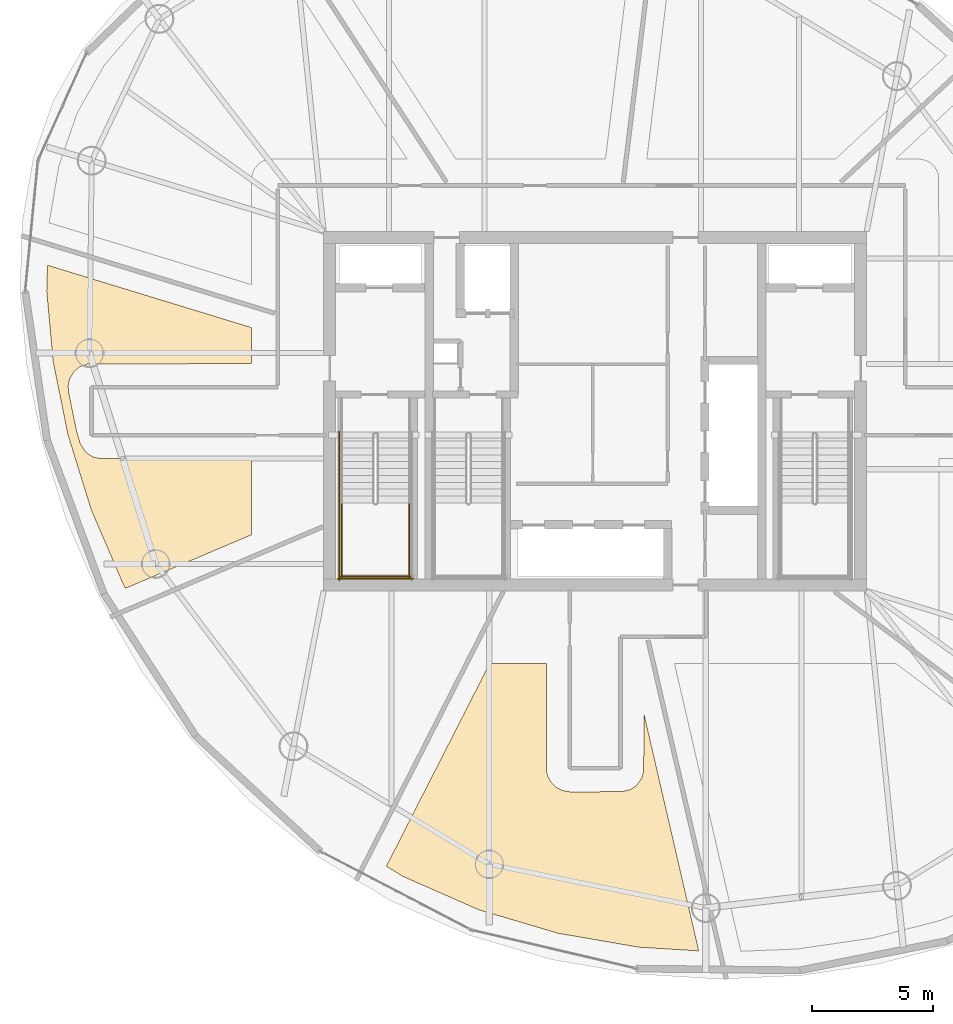
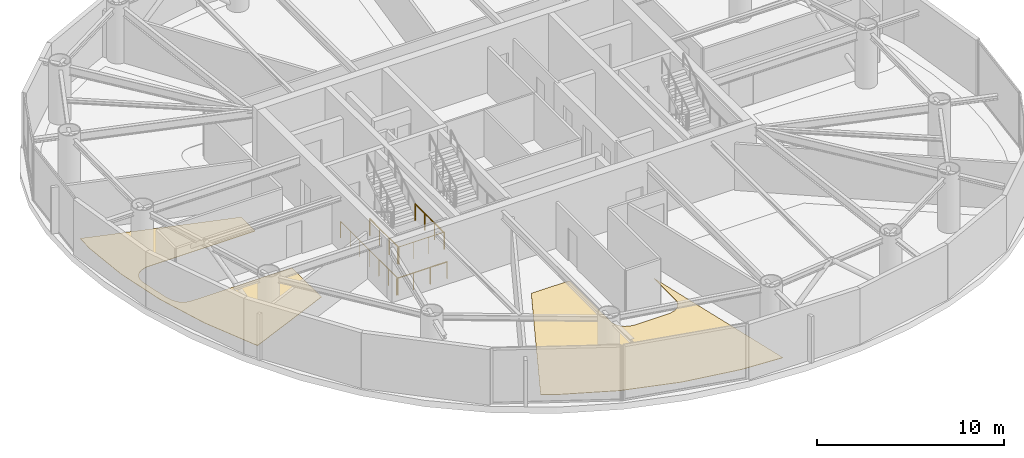
# One storey, part 21 of 25: 5 railings, 2 coverings.
"""IFC4 building model written with IfcOpenShell, lengths in metres."""

import ifcopenshell
import ifcopenshell.guid

model = None  # the IFC model being written
_history = None  # IfcOwnerHistory: only IFC2X3 demands one
_inside = {}  # id of a spatial element -> (the spatial element, [elements in it])
_under = {}  # id of a project, library or spatial element -> (it, [spatial elements below it])
_declared = {}  # id of a project -> (the project, [libraries it declares])
_typed = {}  # id of a type object -> (the type object, [elements of that type])
_made_of = {}  # id of a material, layer set ... -> (it, [elements and type objects made of it])


def new_model(schema):
    """Start an empty IFC model of exactly this schema.

    Asked for "IFC4X3", IfcOpenShell would pick the latest addendum, in which some entities
    have other attributes; the version numbers below select the first issue.
    IFC2X3 requires an IfcOwnerHistory on every rooted entity: one is made here for all.
    """
    global model, _history
    if schema == "IFC4X3":
        model = ifcopenshell.file(schema_version=(4, 3, 0, 0))
    else:
        model = ifcopenshell.file(schema=schema)
    _inside.clear()
    _under.clear()
    _declared.clear()
    _typed.clear()
    _made_of.clear()
    _history = None
    if model.schema == "IFC2X3":
        org = make("IfcOrganization", Name="unknown")
        user = make(
            "IfcPersonAndOrganization",
            ThePerson=make("IfcPerson", FamilyName="unknown"),
            TheOrganization=org,
        )
        app = make(
            "IfcApplication",
            ApplicationDeveloper=org,
            Version="unknown",
            ApplicationFullName="unknown",
            ApplicationIdentifier="unknown",
        )
        _history = make(
            "IfcOwnerHistory",
            OwningUser=user,
            OwningApplication=app,
            ChangeAction="ADDED",
            CreationDate=0,
        )
    return model


def make(cls, **values):
    """One entity of the class cls with the attributes given. An attribute that is None is left unset."""
    return model.create_entity(
        cls, **{name: value for name, value in values.items() if value is not None}
    )


def rooted(cls, **values):
    """An entity with a GlobalId (a new one), such as an element, a storey or a relation."""
    return make(cls, GlobalId=ifcopenshell.guid.new(), OwnerHistory=_history, **values)


def si_unit(unit_type, name, prefix=None):
    """IfcSIUnit, for example si_unit("LENGTHUNIT", "METRE", prefix="MILLI")."""
    return make("IfcSIUnit", UnitType=unit_type, Prefix=prefix, Name=name)


def assignment(units):
    """IfcUnitAssignment: the units of a project."""
    return None if units is None else make("IfcUnitAssignment", Units=units)


def point(xyz):
    """IfcCartesianPoint."""
    return None if xyz is None else make("IfcCartesianPoint", Coordinates=xyz)


def direction(xyz):
    """IfcDirection."""
    return None if xyz is None else make("IfcDirection", DirectionRatios=xyz)


def frame(location, z_axis=None, x_axis=None):
    """IfcAxis2Placement3D, a coordinate frame: its origin and axes. An axis left out is left unset."""
    return make(
        "IfcAxis2Placement3D",
        Location=point(location),
        Axis=direction(z_axis),
        RefDirection=direction(x_axis),
    )


def frame_2d(location, x_axis=None):
    """IfcAxis2Placement2D, a coordinate frame in the plane: its origin and x axis."""
    return make(
        "IfcAxis2Placement2D", Location=point(location), RefDirection=direction(x_axis)
    )


def origin():
    """The frame at (0, 0, 0) with its axes left unset."""
    return frame((0.0, 0.0, 0.0))


def origin_2d():
    """The frame at (0, 0) in the plane with its x axis left unset."""
    return frame_2d((0.0, 0.0))


def place(relative_to, where):
    """IfcLocalPlacement: puts the frame where relative to a parent placement (None: the world)."""
    return make(
        "IfcLocalPlacement", PlacementRelTo=relative_to, RelativePlacement=where
    )


def context(
    kind, dimensions, precision=None, world=None, true_north=None, identifier=None
):
    """IfcGeometricRepresentationContext, for example the 3D "Model" context."""
    return make(
        "IfcGeometricRepresentationContext",
        ContextIdentifier=identifier,
        ContextType=kind,
        CoordinateSpaceDimension=dimensions,
        Precision=precision,
        WorldCoordinateSystem=world,
        TrueNorth=true_north,
    )


def subcontext(parent, identifier, kind, view, scale=None):
    """IfcGeometricRepresentationSubContext, for example "Body" below "Model"."""
    return make(
        "IfcGeometricRepresentationSubContext",
        ContextIdentifier=identifier,
        ContextType=kind,
        ParentContext=parent,
        TargetScale=scale,
        TargetView=view,
    )


def project(units=None, contexts=None):
    """IfcProject with its units and contexts."""
    return rooted(
        "IfcProject",
        Name="project",
        RepresentationContexts=contexts,
        UnitsInContext=assignment(units),
    )


def spatial(cls, under=None, at=None, **own):
    """A site, building, storey or space (cls), placed at a placement, below another one or the project."""
    s = rooted(cls, ObjectPlacement=at, **own)
    if under is not None:
        _under.setdefault(under.id(), (under, []))[1].append(s)
    return s


def polyline(points):
    """IfcPolyline through the points."""
    return make("IfcPolyline", Points=[point(p) for p in points])


def profile(cls, at=None, kind="AREA", **sizes):
    """A parametric profile (cls). Its sizes go by their IFC names, for example OverallWidth=200.0."""
    return make(cls, ProfileType=kind, Position=at, **sizes)


def circle(**sizes):
    """IfcCircleProfileDef."""
    return profile("IfcCircleProfileDef", **sizes)


def outline(outer, holes=None, kind="AREA"):
    """IfcArbitraryClosedProfileDef: a profile drawn as a closed curve; with holes, ...WithVoids."""
    if holes is None:
        return make("IfcArbitraryClosedProfileDef", ProfileType=kind, OuterCurve=outer)
    return make(
        "IfcArbitraryProfileDefWithVoids",
        ProfileType=kind,
        OuterCurve=outer,
        InnerCurves=holes,
    )


def extrude(swept, where, along, depth):
    """IfcExtrudedAreaSolid: the profile swept, set in the frame where, extruded along a direction by depth."""
    return make(
        "IfcExtrudedAreaSolid",
        SweptArea=swept,
        Position=where,
        ExtrudedDirection=direction(along),
        Depth=depth,
    )


def shape(context_of_items, identifier, shape_type, items):
    """IfcShapeRepresentation: the items that make up one representation, for example the "Body"."""
    return make(
        "IfcShapeRepresentation",
        ContextOfItems=context_of_items,
        RepresentationIdentifier=identifier,
        RepresentationType=shape_type,
        Items=items,
    )


def material(Name=None, Category=None):
    """IfcMaterial."""
    return make("IfcMaterial", Name=Name, Category=Category)


def layer(
    of_material, thickness, ventilated=None, Name=None, Category=None, Priority=None
):
    """IfcMaterialLayer: one layer of a wall or slab, of a material (None: an air gap)."""
    return make(
        "IfcMaterialLayer",
        Material=of_material,
        LayerThickness=thickness,
        IsVentilated=ventilated,
        Name=Name,
        Category=Category,
        Priority=Priority,
    )


def layer_set(layers, Name=None):
    """IfcMaterialLayerSet."""
    return make("IfcMaterialLayerSet", MaterialLayers=layers, LayerSetName=Name)


def made_of(thing, what):
    """Note that an element or type object is made of a material, layer set ...; save() writes the relation."""
    if what is not None:
        _made_of.setdefault(what.id(), (what, []))[1].append(thing)
    return thing


def type_object(cls, material=None, **own):
    """A type object (cls), such as IfcWallType, which elements share."""
    return made_of(rooted(cls, **own), material)


def element(
    cls,
    number,
    at=None,
    inside=None,
    cuts=None,
    type_object=None,
    material=None,
    context=None,
    identifier="Body",
    shape_type=None,
    held_by="IfcProductDefinitionShape",
    body=None,
    shapes=None,
    **own,
):
    """One element of the class cls, such as IfcWall. Its Tag is "e" and its number.

    at: its placement. inside: the storey or other place that contains it. cuts: it is an
    opening in that element (IfcRelVoidsElement). A single representation is given by context,
    identifier, shape_type and body (its items); several are given by shapes. held_by: the class
    of the entity that holds the representations. save() writes the other relations.
    """
    e = rooted(cls, Tag="e%d" % number, ObjectPlacement=at, **own)
    if body is not None:
        shapes = [shape(context, identifier, shape_type, body)]
    if shapes is not None:
        e.Representation = make(held_by, Representations=shapes)
    if inside is not None:
        _inside.setdefault(inside.id(), (inside, []))[1].append(e)
    if cuts is not None:
        rooted(
            "IfcRelVoidsElement", RelatingBuildingElement=cuts, RelatedOpeningElement=e
        )
    if type_object is not None:
        _typed.setdefault(type_object.id(), (type_object, []))[1].append(e)
    return made_of(e, material)


def aggregate(whole, parts):
    """IfcRelAggregates: a whole, such as a stair, and the parts it consists of."""
    return rooted("IfcRelAggregates", RelatingObject=whole, RelatedObjects=parts)


def save(model, path):
    """Write the relations noted so far, then the file.

    IfcRelAggregates (storeys below a building ...), IfcRelContainedInSpatialStructure (elements
    in a storey), IfcRelDefinesByType, IfcRelAssociatesMaterial and IfcRelDeclares: one each for
    every whole, place, type object, material and project.
    """
    for whole, parts in _under.values():
        aggregate(whole, parts)
    for where, things in _inside.values():
        rooted(
            "IfcRelContainedInSpatialStructure",
            RelatedElements=things,
            RelatingStructure=where,
        )
    for kind, things in _typed.values():
        rooted("IfcRelDefinesByType", RelatedObjects=things, RelatingType=kind)
    for what, things in _made_of.values():
        rooted("IfcRelAssociatesMaterial", RelatedObjects=things, RelatingMaterial=what)
    for by, libraries in _declared.values():
        rooted("IfcRelDeclares", RelatingContext=by, RelatedDefinitions=libraries)
    model.write(path)


model = new_model("IFC4")

# Units and contexts
model_context = context("Model", 3, precision=1e-05, world=origin(), true_north=direction((0.0, 1.0)))
body_context = subcontext(model_context, "Body", "Model", "MODEL_VIEW")
ifc_project = project(units=[si_unit("LENGTHUNIT", "METRE"), si_unit("AREAUNIT", "SQUARE_METRE"), si_unit("VOLUMEUNIT", "CUBIC_METRE"), si_unit("PLANEANGLEUNIT", "RADIAN"), si_unit("MASSUNIT", "GRAM", prefix="KILO")], contexts=[model_context])

# Site, building, storey
site_placement = place(None, origin())
site = spatial("IfcSite", under=ifc_project, at=site_placement, CompositionType="ELEMENT")
building_placement = place(site_placement, origin())
building = spatial("IfcBuilding", under=site, at=building_placement, Name="Bramvorn Convention Spire", CompositionType="ELEMENT")
storey_placement = place(building_placement, frame((0.0, 0.0, 171.199951171875)))
storey = spatial("IfcBuildingStorey", under=building, at=storey_placement, Name="L43", CompositionType="ELEMENT", Elevation=171.199951171875)

# Coverings
ifc_material_1 = material(Name="Honed Dolomitic Limestone Terrazzo Flooring", Category="masonry")
ifc_layer = layer(ifc_material_1, 0.02490234375)
ifc_layer_set = layer_set([ifc_layer], Name="Honed Dolomitic Limestone Terrazzo Flooring - FLR-TERRAZZO-25")
covering_type = type_object("IfcCoveringType", Name="FLR-TERRAZZO-25", PredefinedType="FLOORING", material=ifc_layer_set)
covering_1_placement = place(storey_placement, origin())
element("IfcCovering", 1, at=covering_1_placement, inside=storey, type_object=covering_type, Name="L43 Client Meeting Room B 5 raised floor finish", PredefinedType="FLOORING", context=body_context, shape_type="SweptSolid", body=[
    extrude(outline(polyline([(18.4423828125, 18.831298828125), (18.5380859375, 18.662353515625), (23.75, 20.87451171875), (23.75, 24.030029296875), (17.572265625, 24.030029296875), (17.241943359375, 24.088134765625), (17.0712890625, 24.169677734375), (16.86083984375, 24.3408203125), (16.66357421875, 24.661376953125), (16.51220703125, 25.15966796875), (16.1796875, 26.808349609375), (16.16162109375, 27.03955078125), (16.21875, 27.330810546875), (16.4072265625, 27.64599609375), (16.636474609375, 27.83447265625), (16.993896484375, 27.960205078125), (23.75, 27.969970703125), (23.75, 29.4677734375), (15.305419921875, 32.049560546875), (15.2734375, 30.98046875), (15.53857421875, 28.06591796875), (16.1533203125, 25.016357421875), (17.12060546875, 21.909423828125), (18.4423828125, 18.831298828125)])), origin(), (0.0, 0.0, 1.0), 0.025146484375),
])
covering_2_placement = place(storey_placement, origin())
element("IfcCovering", 2, at=covering_2_placement, inside=storey, type_object=covering_type, Name="L43 Tenant Briefing Room 7 raised floor finish", PredefinedType="FLOORING", context=body_context, shape_type="SweptSolid", body=[
    extrude(outline(polyline([(42.291015625, 3.63525390625), (40.02001953125, 13.4716796875), (40.01025390625, 11.0634765625), (39.92431640625, 10.780029296875), (39.705810546875, 10.4853515625), (39.459228515625, 10.32080078125), (39.103515625, 10.231689453125), (36.949951171875, 10.22998046875), (36.62890625, 10.284912109375), (36.376953125, 10.41748046875), (36.174560546875, 10.617431640625), (36.038818359375, 10.86767578125), (35.98974609375, 11.0634765625), (35.97998046875, 15.550048828125), (33.62939453125, 15.550048828125), (29.345458984375, 7.142333984375), (30.05029296875, 6.714111328125), (33.177734375, 5.339599609375), (36.454833984375, 4.367919921875), (39.80615234375, 3.7890625), (42.291015625, 3.63525390625)])), origin(), (0.0, 0.0, 1.0), 0.025146484375),
])

# Railings
ifc_material_2 = material(Name="Painted Steel Balustrade & Guardrail", Category="steel")
railing_type = type_object("IfcRailingType", Name="RL-STAIR-GUARD-1100", PredefinedType="GUARDRAIL", material=ifc_material_2)
for number, where, name in (
    (3, (27.5, 22.199951171875, 1.925048828125), "L43 ST1 stair guard 3"),
    (4, (30.300048828125, 22.199951171875, 1.925048828125), "L43 ST1 stair guard 4"),
):
    element("IfcRailing", number, at=place(storey_placement, frame(where)), inside=storey, type_object=railing_type, Name=name, PredefinedType="GUARDRAIL", context=body_context, shape_type="SweptSolid", body=[
        extrude(circle(Radius=0.02392578125, at=origin_2d()), frame((0.0, 0.0, 1.076171875), z_axis=(0.0, -1.0, 0.0), x_axis=(1.0, 0.0, 0.0)), (0.0, 0.0, 1.0), 3.099853515625),
        extrude(circle(Radius=0.02099609375, at=origin_2d()), origin(), (0.0, 0.0, 1.0), 1.052001953125),
        extrude(circle(Radius=0.02099609375, at=origin_2d()), frame((0.0, -1.033203125, 0.0)), (0.0, 0.0, 1.0), 1.052001953125),
        extrude(circle(Radius=0.02099609375, at=origin_2d()), frame((0.0, -2.066650390625, 0.0)), (0.0, 0.0, 1.0), 1.052001953125),
        extrude(circle(Radius=0.02099609375, at=origin_2d()), frame((0.0, -3.099853515625, 0.0)), (0.0, 0.0, 1.0), 1.052001953125),
    ])
railing_1_placement = place(storey_placement, frame((27.449951171875, 19.14990234375, 1.925048828125)))
element("IfcRailing", 5, at=railing_1_placement, inside=storey, type_object=railing_type, Name="L43 ST1 stair guard 5", PredefinedType="GUARDRAIL", context=body_context, shape_type="SweptSolid", body=[
    extrude(circle(Radius=0.02392578125, at=origin_2d()), frame((0.0, 0.0, 1.076171875), z_axis=(1.0, 0.0, 0.0), x_axis=(0.0, 1.0, 0.0)), (0.0, 0.0, 1.0), 2.900146484375),
    extrude(circle(Radius=0.02099609375, at=origin_2d()), origin(), (0.0, 0.0, 1.0), 1.052001953125),
    extrude(circle(Radius=0.02099609375, at=origin_2d()), frame((0.966796875, 0.0, 0.0)), (0.0, 0.0, 1.0), 1.052001953125),
    extrude(circle(Radius=0.02099609375, at=origin_2d()), frame((1.933349609375, 0.0, 0.0)), (0.0, 0.0, 1.0), 1.052001953125),
    extrude(circle(Radius=0.02099609375, at=origin_2d()), frame((2.900146484375, 0.0, 0.0)), (0.0, 0.0, 1.0), 1.052001953125),
])
railing_2_placement = place(storey_placement, frame((27.39990234375, 25.14990234375, 0.0)))
element("IfcRailing", 6, at=railing_2_placement, inside=storey, type_object=railing_type, Name="L43 ST1 stair guard 10", PredefinedType="GUARDRAIL", context=body_context, shape_type="SweptSolid", body=[
    extrude(circle(Radius=0.02392578125, at=origin_2d()), frame((0.0, 0.0, 1.076171875), z_axis=(0.0, -1.0, 0.0), x_axis=(1.0, 0.0, 0.0)), (0.0, 0.0, 1.0), 6.14990234375),
    extrude(circle(Radius=0.02099609375, at=origin_2d()), origin(), (0.0, 0.0, 1.0), 1.052001953125),
    extrude(circle(Radius=0.02099609375, at=origin_2d()), frame((0.0, -1.02490234375, 0.0)), (0.0, 0.0, 1.0), 1.052001953125),
    extrude(circle(Radius=0.02099609375, at=origin_2d()), frame((0.0, -2.050048828125, 0.0)), (0.0, 0.0, 1.0), 1.052001953125),
    extrude(circle(Radius=0.02099609375, at=origin_2d()), frame((0.0, -3.074951171875, 0.0)), (0.0, 0.0, 1.0), 1.052001953125),
    extrude(circle(Radius=0.02099609375, at=origin_2d()), frame((0.0, -4.099853515625, 0.0)), (0.0, 0.0, 1.0), 1.052001953125),
    extrude(circle(Radius=0.02099609375, at=origin_2d()), frame((0.0, -5.125, 0.0)), (0.0, 0.0, 1.0), 1.052001953125),
    extrude(circle(Radius=0.02099609375, at=origin_2d()), frame((0.0, -6.14990234375, 0.0)), (0.0, 0.0, 1.0), 1.052001953125),
])
railing_3_placement = place(storey_placement, frame((27.35009765625, 19.050048828125, 0.0)))
element("IfcRailing", 7, at=railing_3_placement, inside=storey, type_object=railing_type, Name="L43 ST1 stair guard 12", PredefinedType="GUARDRAIL", context=body_context, shape_type="SweptSolid", body=[
    extrude(circle(Radius=0.02392578125, at=origin_2d()), frame((0.0, 0.0, 1.076171875), z_axis=(1.0, 0.0, 0.0), x_axis=(0.0, 1.0, 0.0)), (0.0, 0.0, 1.0), 3.099853515625),
    extrude(circle(Radius=0.02099609375, at=origin_2d()), origin(), (0.0, 0.0, 1.0), 1.052001953125),
    extrude(circle(Radius=0.02099609375, at=origin_2d()), frame((1.033203125, 0.0, 0.0)), (0.0, 0.0, 1.0), 1.052001953125),
    extrude(circle(Radius=0.02099609375, at=origin_2d()), frame((2.066650390625, 0.0, 0.0)), (0.0, 0.0, 1.0), 1.052001953125),
    extrude(circle(Radius=0.02099609375, at=origin_2d()), frame((3.099853515625, 0.0, 0.0)), (0.0, 0.0, 1.0), 1.052001953125),
])

save(model, "model.ifc")
